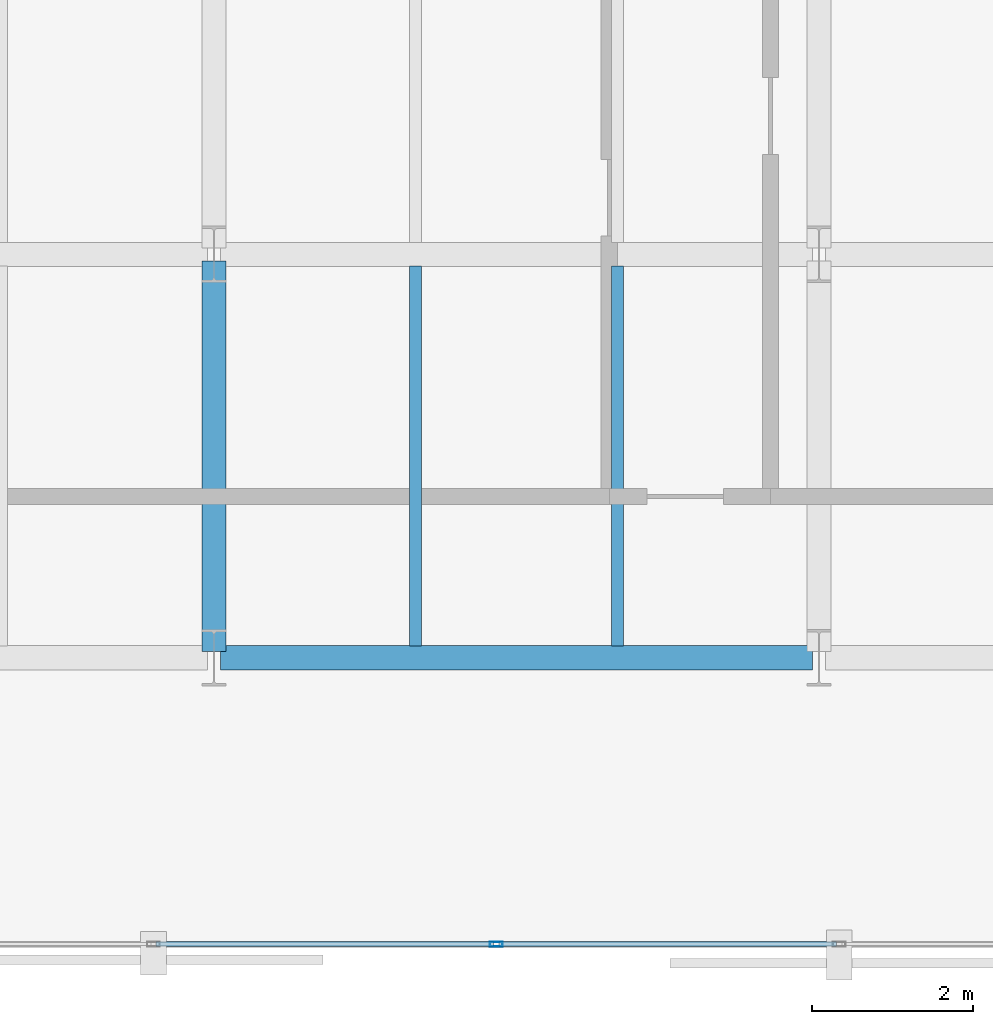
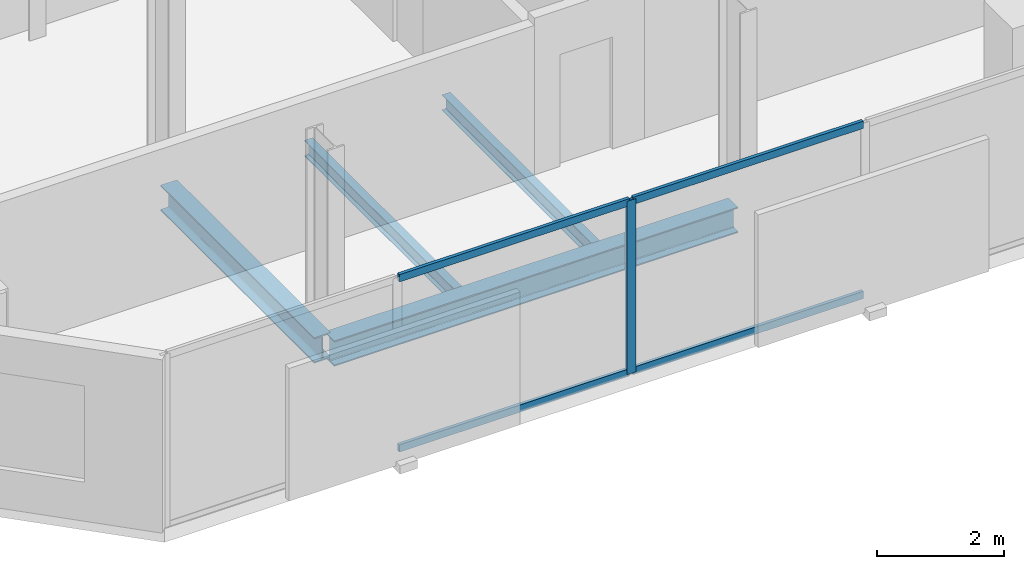
# One storey, part 4 of 33: 5 members, 4 beams, 1 element without a shape of its own.
"""IFC4 building model written with IfcOpenShell, lengths in metres."""

import ifcopenshell
import ifcopenshell.guid

model = None  # the IFC model being written
_history = None  # IfcOwnerHistory: only IFC2X3 demands one
_inside = {}  # id of a spatial element -> (the spatial element, [elements in it])
_under = {}  # id of a project, library or spatial element -> (it, [spatial elements below it])
_declared = {}  # id of a project -> (the project, [libraries it declares])
_typed = {}  # id of a type object -> (the type object, [elements of that type])
_made_of = {}  # id of a material, layer set ... -> (it, [elements and type objects made of it])


def new_model(schema):
    """Start an empty IFC model of exactly this schema.

    Asked for "IFC4X3", IfcOpenShell would pick the latest addendum, in which some entities
    have other attributes; the version numbers below select the first issue.
    IFC2X3 requires an IfcOwnerHistory on every rooted entity: one is made here for all.
    """
    global model, _history
    if schema == "IFC4X3":
        model = ifcopenshell.file(schema_version=(4, 3, 0, 0))
    else:
        model = ifcopenshell.file(schema=schema)
    _inside.clear()
    _under.clear()
    _declared.clear()
    _typed.clear()
    _made_of.clear()
    _history = None
    if model.schema == "IFC2X3":
        org = make("IfcOrganization", Name="unknown")
        user = make(
            "IfcPersonAndOrganization",
            ThePerson=make("IfcPerson", FamilyName="unknown"),
            TheOrganization=org,
        )
        app = make(
            "IfcApplication",
            ApplicationDeveloper=org,
            Version="unknown",
            ApplicationFullName="unknown",
            ApplicationIdentifier="unknown",
        )
        _history = make(
            "IfcOwnerHistory",
            OwningUser=user,
            OwningApplication=app,
            ChangeAction="ADDED",
            CreationDate=0,
        )
    return model


def make(cls, **values):
    """One entity of the class cls with the attributes given. An attribute that is None is left unset."""
    return model.create_entity(
        cls, **{name: value for name, value in values.items() if value is not None}
    )


def rooted(cls, **values):
    """An entity with a GlobalId (a new one), such as an element, a storey or a relation."""
    return make(cls, GlobalId=ifcopenshell.guid.new(), OwnerHistory=_history, **values)


def si_unit(unit_type, name, prefix=None):
    """IfcSIUnit, for example si_unit("LENGTHUNIT", "METRE", prefix="MILLI")."""
    return make("IfcSIUnit", UnitType=unit_type, Prefix=prefix, Name=name)


def assignment(units):
    """IfcUnitAssignment: the units of a project."""
    return None if units is None else make("IfcUnitAssignment", Units=units)


def point(xyz):
    """IfcCartesianPoint."""
    return None if xyz is None else make("IfcCartesianPoint", Coordinates=xyz)


def direction(xyz):
    """IfcDirection."""
    return None if xyz is None else make("IfcDirection", DirectionRatios=xyz)


def frame(location, z_axis=None, x_axis=None):
    """IfcAxis2Placement3D, a coordinate frame: its origin and axes. An axis left out is left unset."""
    return make(
        "IfcAxis2Placement3D",
        Location=point(location),
        Axis=direction(z_axis),
        RefDirection=direction(x_axis),
    )


def frame_2d(location, x_axis=None):
    """IfcAxis2Placement2D, a coordinate frame in the plane: its origin and x axis."""
    return make(
        "IfcAxis2Placement2D", Location=point(location), RefDirection=direction(x_axis)
    )


def origin():
    """The frame at (0, 0, 0) with its axes left unset."""
    return frame((0.0, 0.0, 0.0))


def origin_2d():
    """The frame at (0, 0) in the plane with its x axis left unset."""
    return frame_2d((0.0, 0.0))


def place(relative_to, where):
    """IfcLocalPlacement: puts the frame where relative to a parent placement (None: the world)."""
    return make(
        "IfcLocalPlacement", PlacementRelTo=relative_to, RelativePlacement=where
    )


def context(
    kind, dimensions, precision=None, world=None, true_north=None, identifier=None
):
    """IfcGeometricRepresentationContext, for example the 3D "Model" context."""
    return make(
        "IfcGeometricRepresentationContext",
        ContextIdentifier=identifier,
        ContextType=kind,
        CoordinateSpaceDimension=dimensions,
        Precision=precision,
        WorldCoordinateSystem=world,
        TrueNorth=true_north,
    )


def subcontext(parent, identifier, kind, view, scale=None):
    """IfcGeometricRepresentationSubContext, for example "Body" below "Model"."""
    return make(
        "IfcGeometricRepresentationSubContext",
        ContextIdentifier=identifier,
        ContextType=kind,
        ParentContext=parent,
        TargetScale=scale,
        TargetView=view,
    )


def project(units=None, contexts=None):
    """IfcProject with its units and contexts."""
    return rooted(
        "IfcProject",
        Name="project",
        RepresentationContexts=contexts,
        UnitsInContext=assignment(units),
    )


def spatial(cls, under=None, at=None, **own):
    """A site, building, storey or space (cls), placed at a placement, below another one or the project."""
    s = rooted(cls, ObjectPlacement=at, **own)
    if under is not None:
        _under.setdefault(under.id(), (under, []))[1].append(s)
    return s


def profile(cls, at=None, kind="AREA", **sizes):
    """A parametric profile (cls). Its sizes go by their IFC names, for example OverallWidth=200.0."""
    return make(cls, ProfileType=kind, Position=at, **sizes)


def hollow_rectangle(**sizes):
    """IfcRectangleHollowProfileDef."""
    return profile("IfcRectangleHollowProfileDef", **sizes)


def i_section(**sizes):
    """IfcIShapeProfileDef."""
    return profile("IfcIShapeProfileDef", **sizes)


def extrude(swept, where, along, depth):
    """IfcExtrudedAreaSolid: the profile swept, set in the frame where, extruded along a direction by depth."""
    return make(
        "IfcExtrudedAreaSolid",
        SweptArea=swept,
        Position=where,
        ExtrudedDirection=direction(along),
        Depth=depth,
    )


def shape(context_of_items, identifier, shape_type, items):
    """IfcShapeRepresentation: the items that make up one representation, for example the "Body"."""
    return make(
        "IfcShapeRepresentation",
        ContextOfItems=context_of_items,
        RepresentationIdentifier=identifier,
        RepresentationType=shape_type,
        Items=items,
    )


def material(Name=None, Category=None):
    """IfcMaterial."""
    return make("IfcMaterial", Name=Name, Category=Category)


def layer(
    of_material, thickness, ventilated=None, Name=None, Category=None, Priority=None
):
    """IfcMaterialLayer: one layer of a wall or slab, of a material (None: an air gap)."""
    return make(
        "IfcMaterialLayer",
        Material=of_material,
        LayerThickness=thickness,
        IsVentilated=ventilated,
        Name=Name,
        Category=Category,
        Priority=Priority,
    )


def layer_set(layers, Name=None):
    """IfcMaterialLayerSet."""
    return make("IfcMaterialLayerSet", MaterialLayers=layers, LayerSetName=Name)


def material_profile(
    of_material, cross_section, Name=None, Category=None, Priority=None
):
    """IfcMaterialProfile: a cross section and its material."""
    return make(
        "IfcMaterialProfile",
        Name=Name,
        Material=of_material,
        Profile=cross_section,
        Priority=Priority,
        Category=Category,
    )


def profile_set(profiles, Name=None, composite=None):
    """IfcMaterialProfileSet."""
    return make(
        "IfcMaterialProfileSet",
        Name=Name,
        MaterialProfiles=profiles,
        CompositeProfile=composite,
    )


def made_of(thing, what):
    """Note that an element or type object is made of a material, layer set ...; save() writes the relation."""
    if what is not None:
        _made_of.setdefault(what.id(), (what, []))[1].append(thing)
    return thing


def type_object(cls, material=None, **own):
    """A type object (cls), such as IfcWallType, which elements share."""
    return made_of(rooted(cls, **own), material)


def element(
    cls,
    number,
    at=None,
    inside=None,
    cuts=None,
    type_object=None,
    material=None,
    context=None,
    identifier="Body",
    shape_type=None,
    held_by="IfcProductDefinitionShape",
    body=None,
    shapes=None,
    **own,
):
    """One element of the class cls, such as IfcWall. Its Tag is "e" and its number.

    at: its placement. inside: the storey or other place that contains it. cuts: it is an
    opening in that element (IfcRelVoidsElement). A single representation is given by context,
    identifier, shape_type and body (its items); several are given by shapes. held_by: the class
    of the entity that holds the representations. save() writes the other relations.
    """
    e = rooted(cls, Tag="e%d" % number, ObjectPlacement=at, **own)
    if body is not None:
        shapes = [shape(context, identifier, shape_type, body)]
    if shapes is not None:
        e.Representation = make(held_by, Representations=shapes)
    if inside is not None:
        _inside.setdefault(inside.id(), (inside, []))[1].append(e)
    if cuts is not None:
        rooted(
            "IfcRelVoidsElement", RelatingBuildingElement=cuts, RelatedOpeningElement=e
        )
    if type_object is not None:
        _typed.setdefault(type_object.id(), (type_object, []))[1].append(e)
    return made_of(e, material)


def aggregate(whole, parts):
    """IfcRelAggregates: a whole, such as a stair, and the parts it consists of."""
    return rooted("IfcRelAggregates", RelatingObject=whole, RelatedObjects=parts)


def save(model, path):
    """Write the relations noted so far, then the file.

    IfcRelAggregates (storeys below a building ...), IfcRelContainedInSpatialStructure (elements
    in a storey), IfcRelDefinesByType, IfcRelAssociatesMaterial and IfcRelDeclares: one each for
    every whole, place, type object, material and project.
    """
    for whole, parts in _under.values():
        aggregate(whole, parts)
    for where, things in _inside.values():
        rooted(
            "IfcRelContainedInSpatialStructure",
            RelatedElements=things,
            RelatingStructure=where,
        )
    for kind, things in _typed.values():
        rooted("IfcRelDefinesByType", RelatedObjects=things, RelatingType=kind)
    for what, things in _made_of.values():
        rooted("IfcRelAssociatesMaterial", RelatedObjects=things, RelatingMaterial=what)
    for by, libraries in _declared.values():
        rooted("IfcRelDeclares", RelatingContext=by, RelatedDefinitions=libraries)
    model.write(path)


model = new_model("IFC4")

# Units and contexts
model_context = context("Model", 3, precision=1e-05, world=origin(), true_north=direction((0.0, 1.0)))
body_context = subcontext(model_context, "Body", "Model", "MODEL_VIEW")
ifc_project = project(units=[si_unit("LENGTHUNIT", "METRE"), si_unit("AREAUNIT", "SQUARE_METRE"), si_unit("VOLUMEUNIT", "CUBIC_METRE"), si_unit("PLANEANGLEUNIT", "RADIAN"), si_unit("MASSUNIT", "GRAM", prefix="KILO")], contexts=[model_context])

# Site, building, storey
site_placement = place(None, origin())
site = spatial("IfcSite", under=ifc_project, at=site_placement, CompositionType="ELEMENT")
building_placement = place(site_placement, origin())
building = spatial("IfcBuilding", under=site, at=building_placement, Name="Catumbela Crestline Tower", CompositionType="ELEMENT")
storey_placement = place(building_placement, frame((0.0, 0.0, 100.8)))
storey = spatial("IfcBuildingStorey", under=building, at=storey_placement, Name="L25", CompositionType="ELEMENT", Elevation=100.8)

# Beams
ifc_material_1 = material(Name="Structural steel S355J2", Category="steel")
ifc_material_profile_1 = material_profile(ifc_material_1, i_section(OverallWidth=0.3, OverallDepth=0.49, WebThickness=0.012, FlangeThickness=0.023, FilletRadius=0.027, at=origin_2d()), Name="HEA 500")
ifc_profile_set_1 = profile_set([ifc_material_profile_1], Name="Structural steel S355J2")
beam_type_1 = type_object("IfcBeamType", Name="BG-HEA500", PredefinedType="BEAM", material=ifc_profile_set_1)
beam_1_placement = place(storey_placement, frame((8.58, 8.6, -0.505), z_axis=(1.0, 0.0, 0.0), x_axis=(0.0, 1.0, 0.0)))
element("IfcBeam", 1, at=beam_1_placement, inside=storey, type_object=beam_type_1, Name="L25 Beam BM-L25-WEW44", PredefinedType="BEAM", context=body_context, shape_type="SweptSolid", body=[
    extrude(i_section(OverallWidth=0.3, OverallDepth=0.49, WebThickness=0.012, FlangeThickness=0.023, FilletRadius=0.027, at=origin_2d()), origin(), (0.0, 0.0, 1.0), 7.34),
])
beam_2_placement = place(storey_placement, frame((8.5, 8.68, -0.505), z_axis=(0.0, 1.0, 0.0), x_axis=(-1.0, 0.0, 0.0)))
element("IfcBeam", 2, at=beam_2_placement, inside=storey, type_object=beam_type_1, Name="L25 Beam BM-L25-WNS55", PredefinedType="BEAM", context=body_context, shape_type="SweptSolid", body=[
    extrude(i_section(OverallWidth=0.3, OverallDepth=0.49, WebThickness=0.012, FlangeThickness=0.023, FilletRadius=0.027, at=origin_2d()), origin(), (0.0, 0.0, 1.0), 4.84),
])
ifc_material_profile_2 = material_profile(ifc_material_1, i_section(OverallWidth=0.15, OverallDepth=0.3, WebThickness=0.0071, FlangeThickness=0.0107, FilletRadius=0.015, at=origin_2d()), Name="IPE 300")
ifc_profile_set_2 = profile_set([ifc_material_profile_2], Name="Structural steel S355J2")
beam_type_2 = type_object("IfcBeamType", Name="BJ-IPE300", PredefinedType="JOIST", material=ifc_profile_set_2)
for number, where, z_axis, x_axis, name in (
    (3, (11.0, 8.747, -0.41), (0.0, 1.0, 0.0), (-1.0, 0.0, 0.0), "L25 Joist JS-L25-WG65"),
    (4, (13.5, 8.747, -0.41), (0.0, 1.0, 0.0), (-1.0, 0.0, 0.0), "L25 Joist JS-L25-WG66"),
):
    element("IfcBeam", number, at=place(storey_placement, frame(where, z_axis=z_axis, x_axis=x_axis)), inside=storey, type_object=beam_type_2, Name=name, PredefinedType="JOIST", context=body_context, shape_type="SweptSolid", body=[
        extrude(i_section(OverallWidth=0.15, OverallDepth=0.3, WebThickness=0.0071, FlangeThickness=0.0107, FilletRadius=0.015, at=origin_2d()), origin(), (0.0, 0.0, 1.0), 4.706),
    ])

# Curtain wall, members
ifc_material_2 = material(Name="Aluminium alloy AW-6060-T66", Category="aluminium")
ifc_layer = layer(ifc_material_2, 0.18, Name="Aluminium alloy AW-6060-T66")
ifc_layer_set = layer_set([ifc_layer], Name="Aluminium alloy AW-6060-T66")
curtain_wall_type = type_object("IfcCurtainWallType", Name="CWU-Z2", PredefinedType="USERDEFINED", material=ifc_layer_set)
curtain_wall_placement = place(storey_placement, origin())
curtain_wall = element("IfcCurtainWall", 5, at=curtain_wall_placement, inside=storey, type_object=curtain_wall_type, Name="L25 Unitised Curtain Wall CW-L25-E0S1", ObjectType="UNITISED", PredefinedType="USERDEFINED")
ifc_material_profile_3 = material_profile(ifc_material_2, hollow_rectangle(XDim=0.06, YDim=0.16, WallThickness=0.004, at=origin_2d()), Name="ALU 160x60x4")
ifc_profile_set_3 = profile_set([ifc_material_profile_3], Name="Aluminium alloy AW-6060-T66")
member_type_1 = type_object("IfcMemberType", Name="MUL-160X60", PredefinedType="MULLION", material=ifc_profile_set_3)
member_1_placement = place(storey_placement, frame((12.0, 5.05, 0.0), z_axis=(0.0, 0.0, 1.0), x_axis=(0.0, 1.0, 0.0)))
member_1 = element("IfcMember", 6, at=member_1_placement, type_object=member_type_1, Name="CWU-Z2 mullion 3", PredefinedType="MULLION", context=body_context, shape_type="SweptSolid", body=[
    extrude(hollow_rectangle(XDim=0.06, YDim=0.16, WallThickness=0.004, at=origin_2d()), origin(), (0.0, 0.0, 1.0), 3.33),
])
ifc_material_profile_4 = material_profile(ifc_material_2, hollow_rectangle(XDim=0.06, YDim=0.14, WallThickness=0.004, at=origin_2d()), Name="ALU 140x60x4")
ifc_profile_set_4 = profile_set([ifc_material_profile_4], Name="Aluminium alloy AW-6060-T66")
member_type_2 = type_object("IfcMemberType", Name="TRN-140X60", PredefinedType="USERDEFINED", material=ifc_profile_set_4)
member_2_placement = place(storey_placement, frame((7.7825, 5.05, 0.03), z_axis=(1.0, 0.0, 0.0), x_axis=(0.0, 1.0, 0.0)))
member_2 = element("IfcMember", 7, at=member_2_placement, type_object=member_type_2, Name="CWU-Z2 transom 2.1", ObjectType="TRANSOM", PredefinedType="USERDEFINED", context=body_context, shape_type="SweptSolid", body=[
    extrude(hollow_rectangle(XDim=0.06, YDim=0.14, WallThickness=0.004, at=origin_2d()), origin(), (0.0, 0.0, 1.0), 4.185),
])
member_3_placement = place(storey_placement, frame((7.7825, 5.05, 3.3), z_axis=(1.0, 0.0, 0.0), x_axis=(0.0, 1.0, 0.0)))
member_3 = element("IfcMember", 8, at=member_3_placement, type_object=member_type_2, Name="CWU-Z2 transom 2.2", ObjectType="TRANSOM", PredefinedType="USERDEFINED", context=body_context, shape_type="SweptSolid", body=[
    extrude(hollow_rectangle(XDim=0.06, YDim=0.14, WallThickness=0.004, at=origin_2d()), origin(), (0.0, 0.0, 1.0), 4.185),
])
member_4_placement = place(storey_placement, frame((12.0325, 5.05, 0.03), z_axis=(1.0, 0.0, 0.0), x_axis=(0.0, 1.0, 0.0)))
member_4 = element("IfcMember", 9, at=member_4_placement, type_object=member_type_2, Name="CWU-Z2 transom 3.1", ObjectType="TRANSOM", PredefinedType="USERDEFINED", context=body_context, shape_type="SweptSolid", body=[
    extrude(hollow_rectangle(XDim=0.06, YDim=0.14, WallThickness=0.004, at=origin_2d()), origin(), (0.0, 0.0, 1.0), 4.185),
])
member_5_placement = place(storey_placement, frame((12.0325, 5.05, 3.3), z_axis=(1.0, 0.0, 0.0), x_axis=(0.0, 1.0, 0.0)))
member_5 = element("IfcMember", 10, at=member_5_placement, type_object=member_type_2, Name="CWU-Z2 transom 3.2", ObjectType="TRANSOM", PredefinedType="USERDEFINED", context=body_context, shape_type="SweptSolid", body=[
    extrude(hollow_rectangle(XDim=0.06, YDim=0.14, WallThickness=0.004, at=origin_2d()), origin(), (0.0, 0.0, 1.0), 4.185),
])
aggregate(curtain_wall, [member_1, member_2, member_3, member_4, member_5])

save(model, "model.ifc")
